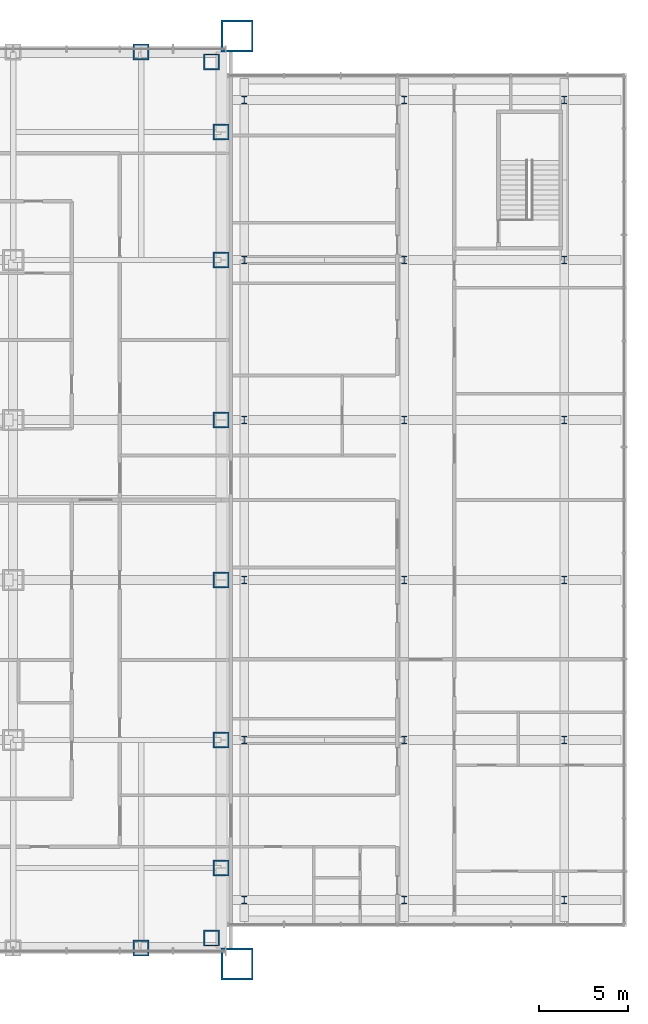
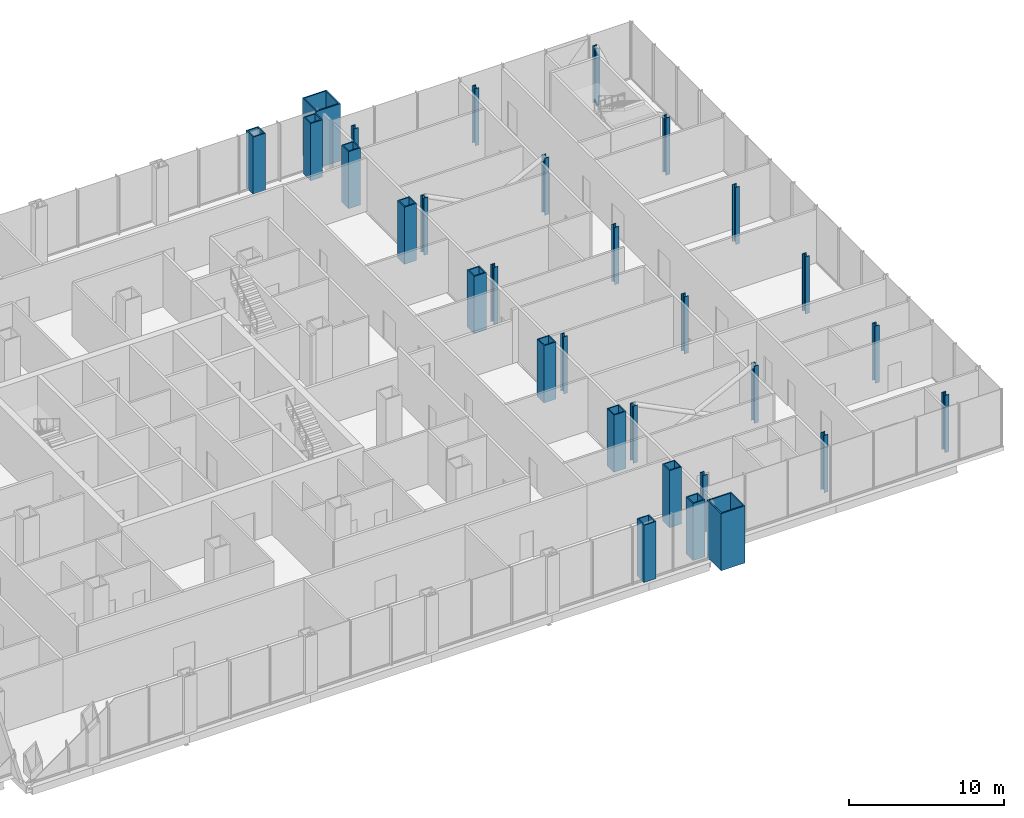
# One storey, part 4 of 25: 30 columns.
"""IFC4 building model written with IfcOpenShell, lengths in metres."""

from ifc_helpers import new_model, si_unit, direction, frame, origin, origin_2d, place, context, subcontext, project, spatial, hollow_rectangle, i_section, extrude, material, material_profile, profile_set, type_object, element, save


model = new_model("IFC4")

# Units and contexts
model_context = context("Model", 3, precision=1e-05, world=origin(), true_north=direction((0.0, 1.0)))
body_context = subcontext(model_context, "Body", "Model", "MODEL_VIEW")
ifc_project = project(units=[si_unit("LENGTHUNIT", "METRE"), si_unit("AREAUNIT", "SQUARE_METRE"), si_unit("VOLUMEUNIT", "CUBIC_METRE"), si_unit("PLANEANGLEUNIT", "RADIAN"), si_unit("MASSUNIT", "GRAM", prefix="KILO")], contexts=[model_context])

# Site, building, storey
site_placement = place(None, origin())
site = spatial("IfcSite", under=ifc_project, at=site_placement, CompositionType="ELEMENT")
building_placement = place(site_placement, origin())
building = spatial("IfcBuilding", under=site, at=building_placement, Name="Malebo Sky Hospital", CompositionType="ELEMENT")
storey_placement = place(building_placement, frame((0.0, 0.0, 16.5)))
storey = spatial("IfcBuildingStorey", under=building, at=storey_placement, Name="L03", CompositionType="ELEMENT", Elevation=16.5)

# Columns
ifc_material_1 = material(Name="Steel S460", Category="steel")
ifc_material_profile_1 = material_profile(ifc_material_1, hollow_rectangle(XDim=1.800048828125, YDim=1.800048828125, WallThickness=0.10009765625, at=origin_2d()), Name="BOX 1800x1800x100")
ifc_profile_set_1 = profile_set([ifc_material_profile_1], Name="Steel S460")
column_type_1 = type_object("IfcColumnType", Name="MEGA COLUMN BOX 1800x1800x100", PredefinedType="COLUMN", material=ifc_profile_set_1)
for number, where, z_axis, x_axis, name in (
    (1, (86.10009765625, 35.89990234375, 0.0), (0.0, 0.0, 1.0), (1.0, 0.0, 0.0), "Mega column SE L03"),
    (2, (86.10009765625, 88.10009765625, 0.0), (0.0, 0.0, 1.0), (1.0, 0.0, 0.0), "Mega column NE L03"),
):
    element("IfcColumn", number, at=place(storey_placement, frame(where, z_axis=z_axis, x_axis=x_axis)), inside=storey, type_object=column_type_1, Name=name, PredefinedType="COLUMN", context=body_context, shape_type="SweptSolid", body=[
        extrude(hollow_rectangle(XDim=1.800048828125, YDim=1.800048828125, WallThickness=0.10009765625, at=origin_2d()), origin(), (0.0, 0.0, 1.0), 4.5),
    ])
ifc_material_profile_2 = material_profile(ifc_material_1, hollow_rectangle(XDim=0.89990234375, YDim=0.89990234375, WallThickness=0.080078125, at=origin_2d()), Name="BOX 900x900x80")
ifc_profile_set_2 = profile_set([ifc_material_profile_2], Name="Steel S460")
column_type_2 = type_object("IfcColumnType", Name="PERIMETER COLUMN BOX 900x900x80", PredefinedType="COLUMN", material=ifc_profile_set_2)
for number, where, z_axis, x_axis, name in (
    (3, (85.199951171875, 41.300048828125, 0.0), (0.0, 0.0, 1.0), (1.0, 0.0, 0.0), "Column PC8 L03"),
    (4, (85.199951171875, 48.5, 0.0), (0.0, 0.0, 1.0), (1.0, 0.0, 0.0), "Column PC8 L03"),
    (5, (85.199951171875, 57.5, 0.0), (0.0, 0.0, 1.0), (1.0, 0.0, 0.0), "Column PC8 L03"),
    (6, (85.199951171875, 66.5, 0.0), (0.0, 0.0, 1.0), (1.0, 0.0, 0.0), "Column PC8 L03"),
    (7, (85.199951171875, 75.5, 0.0), (0.0, 0.0, 1.0), (1.0, 0.0, 0.0), "Column PC8 L03"),
    (8, (80.699951171875, 36.800048828125, 0.0), (0.0, 0.0, 1.0), (1.0, 0.0, 0.0), "Column PC8 L03"),
    (9, (80.699951171875, 87.199951171875, 0.0), (0.0, 0.0, 1.0), (1.0, 0.0, 0.0), "Column PC8 L03"),
    (10, (85.199951171875, 82.699951171875, 0.0), (0.0, 0.0, 1.0), (1.0, 0.0, 0.0), "Column PC8 L03"),
    (11, (84.64990234375, 37.35009765625, 0.0), (0.0, 0.0, 1.0), (1.0, 0.0, 0.0), "Column PC8 L03"),
    (12, (84.64990234375, 86.64990234375, 0.0), (0.0, 0.0, 1.0), (1.0, 0.0, 0.0), "Column PC8 L03"),
):
    element("IfcColumn", number, at=place(storey_placement, frame(where, z_axis=z_axis, x_axis=x_axis)), inside=storey, type_object=column_type_2, Name=name, PredefinedType="COLUMN", context=body_context, shape_type="SweptSolid", body=[
        extrude(hollow_rectangle(XDim=0.89990234375, YDim=0.89990234375, WallThickness=0.080078125, at=origin_2d()), origin(), (0.0, 0.0, 1.0), 4.5),
    ])
ifc_material_2 = material(Name="Steel S355", Category="steel")
ifc_material_profile_3 = material_profile(ifc_material_2, i_section(OverallWidth=0.306884765625, OverallDepth=0.431884765625, WebThickness=0.02099609375, FlangeThickness=0.0400390625, FilletRadius=0.027099609375, at=origin_2d()), Name="HEM 400")
ifc_profile_set_3 = profile_set([ifc_material_profile_3], Name="Steel S355")
column_type_3 = type_object("IfcColumnType", Name="PODIUM COLUMN HEM 400", PredefinedType="COLUMN", material=ifc_profile_set_3)
for number, where, z_axis, x_axis, name in (
    (13, (86.5, 39.5, 0.0), (0.0, 0.0, 1.0), (1.0, 0.0, 0.0), "Podium column 86.5/39.5 L03"),
    (14, (86.5, 48.5, 0.0), (0.0, 0.0, 1.0), (1.0, 0.0, 0.0), "Podium column 86.5/48.5 L03"),
    (15, (86.5, 57.5, 0.0), (0.0, 0.0, 1.0), (1.0, 0.0, 0.0), "Podium column 86.5/57.5 L03"),
    (16, (86.5, 66.5, 0.0), (0.0, 0.0, 1.0), (1.0, 0.0, 0.0), "Podium column 86.5/66.5 L03"),
    (17, (86.5, 75.5, 0.0), (0.0, 0.0, 1.0), (1.0, 0.0, 0.0), "Podium column 86.5/75.5 L03"),
    (18, (86.5, 84.5, 0.0), (0.0, 0.0, 1.0), (1.0, 0.0, 0.0), "Podium column 86.5/84.5 L03"),
    (19, (95.5, 39.5, 0.0), (0.0, 0.0, 1.0), (1.0, 0.0, 0.0), "Podium column 95.5/39.5 L03"),
    (20, (95.5, 48.5, 0.0), (0.0, 0.0, 1.0), (1.0, 0.0, 0.0), "Podium column 95.5/48.5 L03"),
    (21, (95.5, 57.5, 0.0), (0.0, 0.0, 1.0), (1.0, 0.0, 0.0), "Podium column 95.5/57.5 L03"),
    (22, (95.5, 66.5, 0.0), (0.0, 0.0, 1.0), (1.0, 0.0, 0.0), "Podium column 95.5/66.5 L03"),
    (23, (95.5, 75.5, 0.0), (0.0, 0.0, 1.0), (1.0, 0.0, 0.0), "Podium column 95.5/75.5 L03"),
    (24, (95.5, 84.5, 0.0), (0.0, 0.0, 1.0), (1.0, 0.0, 0.0), "Podium column 95.5/84.5 L03"),
    (25, (104.5, 39.5, 0.0), (0.0, 0.0, 1.0), (1.0, 0.0, 0.0), "Podium column 104.5/39.5 L03"),
    (26, (104.5, 48.5, 0.0), (0.0, 0.0, 1.0), (1.0, 0.0, 0.0), "Podium column 104.5/48.5 L03"),
    (27, (104.5, 57.5, 0.0), (0.0, 0.0, 1.0), (1.0, 0.0, 0.0), "Podium column 104.5/57.5 L03"),
    (28, (104.5, 66.5, 0.0), (0.0, 0.0, 1.0), (1.0, 0.0, 0.0), "Podium column 104.5/66.5 L03"),
    (29, (104.5, 75.5, 0.0), (0.0, 0.0, 1.0), (1.0, 0.0, 0.0), "Podium column 104.5/75.5 L03"),
    (30, (104.5, 84.5, 0.0), (0.0, 0.0, 1.0), (1.0, 0.0, 0.0), "Podium column 104.5/84.5 L03"),
):
    element("IfcColumn", number, at=place(storey_placement, frame(where, z_axis=z_axis, x_axis=x_axis)), inside=storey, type_object=column_type_3, Name=name, PredefinedType="COLUMN", context=body_context, shape_type="SweptSolid", body=[
        extrude(i_section(OverallWidth=0.306884765625, OverallDepth=0.431884765625, WebThickness=0.02099609375, FlangeThickness=0.0400390625, FilletRadius=0.027099609375, at=origin_2d()), origin(), (0.0, 0.0, 1.0), 4.5),
    ])

save(model, "model.ifc")
